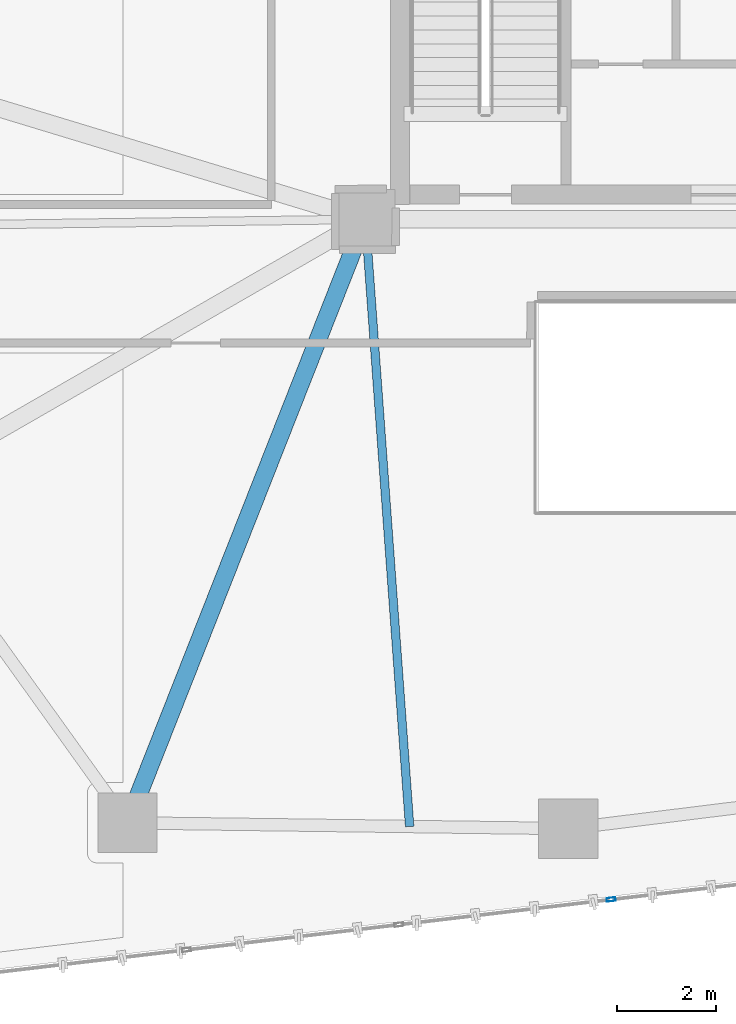
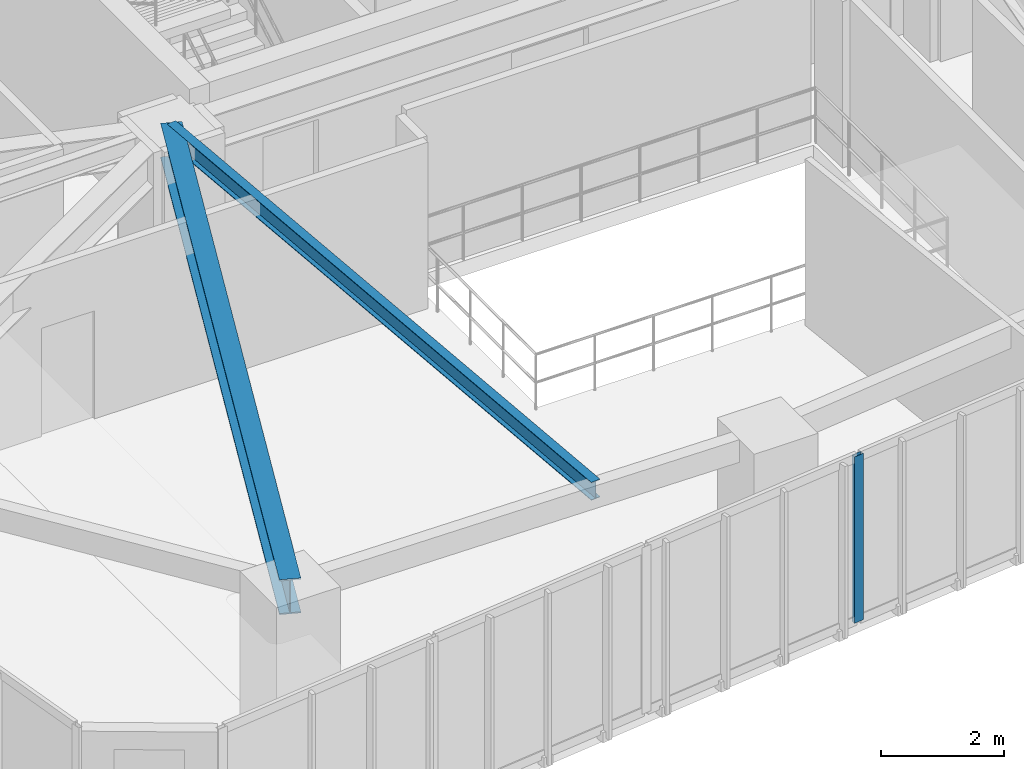
# One storey, part 5 of 24: 2 beams, 1 member, 1 element without a shape of its own.
"""IFC4 building model written with IfcOpenShell, lengths in metres."""

from ifc_helpers import new_model, si_unit, direction, frame, origin, origin_2d, place, context, subcontext, project, spatial, hollow_rectangle, i_section, extrude, source, transform, mapped, material, layer, layer_set, material_profile, profile_set, type_object, type_shapes, element, aggregate, save


model = new_model("IFC4")

# Units and contexts
model_context = context("Model", 3, precision=1e-05, world=origin(), true_north=direction((0.0, 1.0)))
body_context = subcontext(model_context, "Body", "Model", "MODEL_VIEW")
ifc_project = project(units=[si_unit("LENGTHUNIT", "METRE"), si_unit("AREAUNIT", "SQUARE_METRE"), si_unit("VOLUMEUNIT", "CUBIC_METRE"), si_unit("PLANEANGLEUNIT", "RADIAN"), si_unit("MASSUNIT", "GRAM", prefix="KILO")], contexts=[model_context])

# Site, building, storey
site_placement = place(None, origin())
site = spatial("IfcSite", under=ifc_project, at=site_placement, CompositionType="ELEMENT")
building_placement = place(site_placement, origin())
building = spatial("IfcBuilding", under=site, at=building_placement, Name="Talar Marvaseh", CompositionType="ELEMENT")
storey_placement = place(building_placement, frame((0.0, 0.0, 111.0)))
storey = spatial("IfcBuildingStorey", under=building, at=storey_placement, Name="L28", CompositionType="ELEMENT", Elevation=111.0)

# Beams
ifc_material_1 = material(Name="Steel S355", Category="steel")
ifc_material_profile_1 = material_profile(ifc_material_1, i_section(OverallWidth=0.35498046875, OverallDepth=0.695068359375, WebThickness=0.015380859375, FlangeThickness=0.02490234375, at=origin_2d()), Name="W690x217")
ifc_profile_set_1 = profile_set([ifc_material_profile_1], Name="Steel S355")
beam_type_1 = type_object("IfcBeamType", Name="Zone 2 Radial Floor Girder W690x217", PredefinedType="BEAM", material=ifc_profile_set_1)
beam_1_placement = place(storey_placement, frame((13.89111328125, 13.299072265625, 2.96240234375), z_axis=(0.366683712786, 0.930345664136, 0.0), x_axis=(-0.930345664136, 0.366683712786, 0.0)))
element("IfcBeam", 1, at=beam_1_placement, inside=storey, type_object=beam_type_1, Name="L28 Zone 2 Radial Floor Girder W690x217", PredefinedType="BEAM", context=body_context, shape_type="SweptSolid", body=[
    extrude(i_section(OverallWidth=0.35498046875, OverallDepth=0.695068359375, WebThickness=0.015380859375, FlangeThickness=0.02490234375, at=origin_2d()), origin(), (0.0, 0.0, 1.0), 13.114501953125),
])
ifc_material_profile_2 = material_profile(ifc_material_1, i_section(OverallWidth=0.172119140625, OverallDepth=0.35791015625, WebThickness=0.0078125, FlangeThickness=0.01318359375, at=origin_2d()), Name="W360x57")
ifc_profile_set_2 = profile_set([ifc_material_profile_2], Name="Steel S355")
beam_type_2 = type_object("IfcBeamType", Name="Zone 2 Secondary Floor Joist W360x57", PredefinedType="JOIST", material=ifc_profile_set_2)
beam_2_placement = place(storey_placement, frame((19.595947265625, 13.224853515625, 3.131103515625), z_axis=(-0.07279902415, 0.997346630857, 0.0), x_axis=(-0.997346630857, -0.07279902415, 0.0)))
element("IfcBeam", 2, at=beam_2_placement, inside=storey, type_object=beam_type_2, Name="L28 Zone 2 Secondary Floor Joist W360x57", PredefinedType="JOIST", context=body_context, shape_type="SweptSolid", body=[
    extrude(i_section(OverallWidth=0.172119140625, OverallDepth=0.35791015625, WebThickness=0.0078125, FlangeThickness=0.01318359375, at=origin_2d()), origin(), (0.0, 0.0, 1.0), 12.307861328125),
])

# Curtain wall, member
ifc_material_2 = material(Name="Architectural Aluminium", Category="aluminium")
ifc_layer = layer(ifc_material_2, 0.199951171875)
ifc_layer_set = layer_set([ifc_layer], Name="Architectural Aluminium")
curtain_wall_type = type_object("IfcCurtainWallType", Name="Unitised Acoustic Library Curtain Wall Z2", PredefinedType="NOTDEFINED", material=ifc_layer_set)
curtain_wall_placement = place(storey_placement, origin())
curtain_wall = element("IfcCurtainWall", 3, at=curtain_wall_placement, inside=storey, type_object=curtain_wall_type, Name="L28 Unitised Acoustic Library Curtain Wall Z2", PredefinedType="NOTDEFINED")
ifc_material_profile_3 = material_profile(ifc_material_2, hollow_rectangle(XDim=0.074951171875, YDim=0.179931640625, WallThickness=0.0048828125, at=origin_2d()), Name="RHS180x75x5")
ifc_profile_set_3 = profile_set([ifc_material_profile_3], Name="Architectural Aluminium")
member_type = type_object("IfcMemberType", Name="Unitised Curtain Wall Standard Mullion RHS180x75x5", PredefinedType="MULLION", material=ifc_profile_set_3)
shared_shape = source(origin(), body_context, "Body", "SweptSolid", [
    extrude(hollow_rectangle(XDim=0.074951171875, YDim=0.179931640625, WallThickness=0.0048828125, at=origin_2d()), origin(), (0.0, 0.0, 1.0), 3.31005859375),
])
type_shapes(member_type, [shared_shape])
member_placement = place(storey_placement, frame((23.670654296875, 11.749755859375, 0.0), z_axis=(0.0, 0.0, 1.0), x_axis=(0.117690940754, -0.993050271872, 0.0)))
member = element("IfcMember", 4, at=member_placement, type_object=member_type, Name="CW-Z2 mullion 3", PredefinedType="MULLION", context=body_context, shape_type="MappedRepresentation", body=[
    mapped(shared_shape, transform((0.0, 0.0, 0.0), x_axis=(1.0, 0.0, 0.0), y_axis=(0.0, 1.0, 0.0), z_axis=(0.0, 0.0, 1.0), scale=1.0)),
])
aggregate(curtain_wall, [member])

save(model, "model.ifc")
